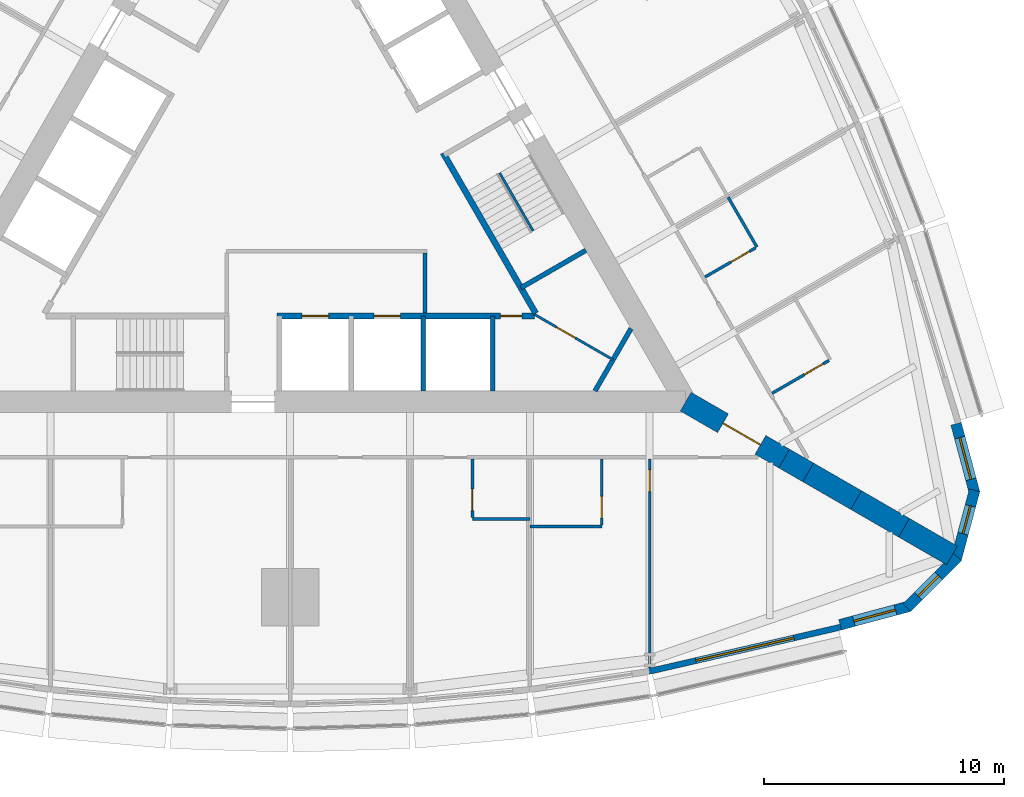
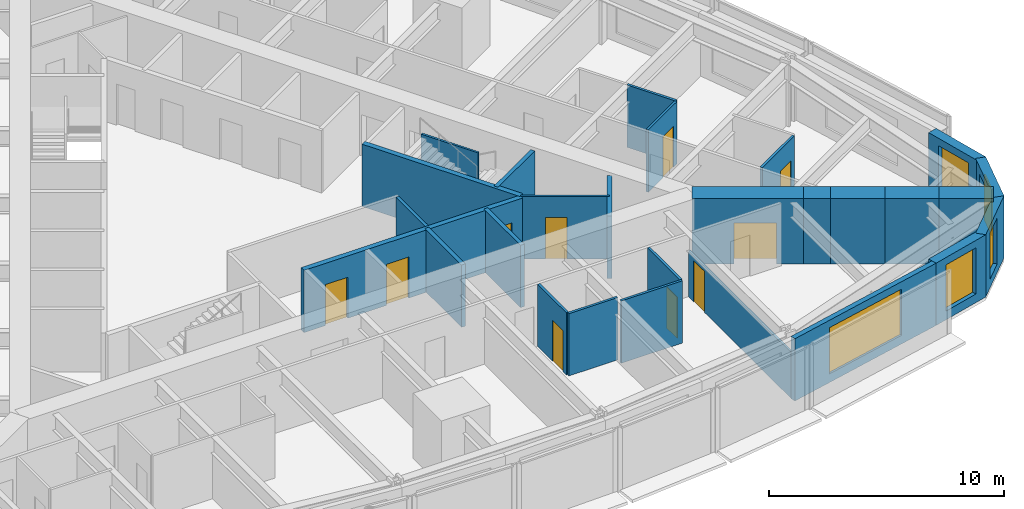
# One storey, part 10 of 14: 27 walls, 10 doors, 5 windows, 15 openings.
"""IFC4 building model written with IfcOpenShell, lengths in metres."""

from ifc_helpers import new_model, si_unit, direction, frame, frame_2d, origin, place, context, subcontext, project, spatial, polyline, rectangle, outline, extrude, material, layer, layer_set, type_object, element, fill, save


model = new_model("IFC4")

# Units and contexts
model_context = context("Model", 3, precision=1e-05, world=origin(), true_north=direction((0.0, 1.0)))
body_context = subcontext(model_context, "Body", "Model", "MODEL_VIEW")
ifc_project = project(units=[si_unit("LENGTHUNIT", "METRE"), si_unit("AREAUNIT", "SQUARE_METRE"), si_unit("VOLUMEUNIT", "CUBIC_METRE"), si_unit("PLANEANGLEUNIT", "RADIAN"), si_unit("MASSUNIT", "GRAM", prefix="KILO")], contexts=[model_context])

# Site, building, storey
site_placement = place(None, origin())
site = spatial("IfcSite", under=ifc_project, at=site_placement, CompositionType="ELEMENT")
building_placement = place(site_placement, origin())
building = spatial("IfcBuilding", under=site, at=building_placement, Name="Trikona Tower", CompositionType="ELEMENT")
storey_placement = place(building_placement, frame((0.0, 0.0, 42.10009765625)))
storey = spatial("IfcBuildingStorey", under=building, at=storey_placement, Name="L09", CompositionType="ELEMENT", Elevation=42.10009765625)

# Wall
ifc_material_1 = material(Name="Metal stud and cement board", Category="gypsum")
ifc_layer_1 = layer(ifc_material_1, 0.1201171875)
ifc_layer_set_1 = layer_set([ifc_layer_1], Name="Bathroom wall 120")
wall_type_1 = type_object("IfcWallType", Name="Bathroom wall 120", PredefinedType="PLUMBINGWALL", material=ifc_layer_set_1)
wall_1_placement = place(storey_placement, frame((7.60009765625, -14.42626953125, 0.0), z_axis=(0.0, 0.0, 1.0), x_axis=(1.0, 0.0, 0.0)))
element("IfcWall", 1, at=wall_1_placement, inside=storey, type_object=wall_type_1, Name="Bathroom wall 0904", PredefinedType="PLUMBINGWALL", context=body_context, shape_type="SweptSolid", body=[
    extrude(rectangle(XDim=2.39990234375, YDim=0.1201171875, at=frame_2d((1.199951171875, 0.0))), origin(), (0.0, 0.0, 1.0), 3.23486328125),
])

# Wall, opening, door
wall_2_placement = place(storey_placement, frame((7.60009765625, -11.92626953125, 0.0), z_axis=(0.0, 0.0, 1.0), x_axis=(0.0, -1.0, 0.0)))
wall_2 = element("IfcWall", 2, at=wall_2_placement, inside=storey, type_object=wall_type_1, Name="Bathroom wall 0904", PredefinedType="PLUMBINGWALL", context=body_context, shape_type="SweptSolid", body=[
    extrude(rectangle(XDim=2.43994140625, YDim=0.1201171875, at=frame_2d((1.219970703125, 0.0))), origin(), (0.0, 0.0, 1.0), 3.23486328125),
])
opening_1_placement = place(wall_2_placement, frame((1.25, 0.0, 0.0)))
opening_1 = element("IfcOpeningElement", 3, at=opening_1_placement, cuts=wall_2, Name="Opening D2", PredefinedType="OPENING", context=body_context, shape_type="SweptSolid", body=[
    extrude(rectangle(XDim=0.89990234375, YDim=2.1298828125, at=frame_2d((0.449951171875, 1.06494140625))), frame((0.0, 0.070068359375, 0.0), z_axis=(0.0, -1.0, 0.0), x_axis=(1.0, 0.0, 0.0)), (0.0, 0.0, 1.0), 0.14013671875),
])
ifc_material_2 = material(Name="Steel door frame with solid-core timber leaf", Category="steel")
door_type_1 = type_object("IfcDoorType", Name="Bathroom door 900x2130", OperationType="SLIDING_TO_LEFT", PredefinedType="DOOR", material=ifc_material_2)
door_1_placement = place(opening_1_placement, origin())
door_1 = element("IfcDoor", 4, at=door_1_placement, inside=storey, type_object=door_type_1, Name="Bathroom door 0904", OperationType="SLIDING_TO_LEFT", OverallHeight=2.1298828125, OverallWidth=0.89990234375, PredefinedType="DOOR", context=body_context, shape_type="SweptSolid", body=[
    extrude(rectangle(XDim=0.89990234375, YDim=2.1298828125, at=frame_2d((0.449951171875, 1.06494140625))), frame((0.0, 0.02490234375, 0.0), z_axis=(0.0, -1.0, 0.0), x_axis=(1.0, 0.0, 0.0)), (0.0, 0.0, 1.0), 0.050048828125),
])
fill(opening_1, door_1)

# Wall
wall_3_placement = place(storey_placement, frame((10.0, -14.726318359375, 0.0), z_axis=(0.0, 0.0, 1.0), x_axis=(1.0, 0.0, 0.0)))
element("IfcWall", 5, at=wall_3_placement, inside=storey, type_object=wall_type_1, Name="Bathroom wall 0905.1", PredefinedType="PLUMBINGWALL", context=body_context, shape_type="SweptSolid", body=[
    extrude(rectangle(XDim=3.0, YDim=0.1201171875, at=frame_2d((1.5, 0.0))), origin(), (0.0, 0.0, 1.0), 3.23486328125),
])

# Wall, opening, door
wall_4_placement = place(storey_placement, frame((13.0, -11.92626953125, 0.0), z_axis=(0.0, 0.0, 1.0), x_axis=(0.0, -1.0, 0.0)))
wall_4 = element("IfcWall", 6, at=wall_4_placement, inside=storey, type_object=wall_type_1, Name="Bathroom wall 0905.1", PredefinedType="PLUMBINGWALL", context=body_context, shape_type="SweptSolid", body=[
    extrude(rectangle(XDim=2.739990234375, YDim=0.1201171875, at=frame_2d((1.3701171875, 0.0))), origin(), (0.0, 0.0, 1.0), 3.23486328125),
])
opening_2_placement = place(wall_4_placement, frame((1.550048828125, 0.0, 0.0)))
opening_2 = element("IfcOpeningElement", 7, at=opening_2_placement, cuts=wall_4, Name="Opening D2", PredefinedType="OPENING", context=body_context, shape_type="SweptSolid", body=[
    extrude(rectangle(XDim=0.89990234375, YDim=2.1298828125, at=frame_2d((0.449951171875, 1.06494140625))), frame((0.0, 0.070068359375, 0.0), z_axis=(0.0, -1.0, 0.0), x_axis=(1.0, 0.0, 0.0)), (0.0, 0.0, 1.0), 0.14013671875),
])
door_2_placement = place(opening_2_placement, origin())
door_2 = element("IfcDoor", 8, at=door_2_placement, inside=storey, type_object=door_type_1, Name="Bathroom door 0905.1", OperationType="SLIDING_TO_LEFT", OverallHeight=2.1298828125, OverallWidth=0.89990234375, PredefinedType="DOOR", context=body_context, shape_type="SweptSolid", body=[
    extrude(rectangle(XDim=0.89990234375, YDim=2.1298828125, at=frame_2d((0.449951171875, 1.06494140625))), frame((0.0, 0.02490234375, 0.0), z_axis=(0.0, -1.0, 0.0), x_axis=(1.0, 0.0, 0.0)), (0.0, 0.0, 1.0), 0.050048828125),
])
fill(opening_2, door_2)

wall_5_placement = place(storey_placement, frame((20.10791015625, -9.17529296875, 0.0), z_axis=(0.0, 0.0, 1.0), x_axis=(0.866035715982, 0.499982138324, 0.0)))
wall_5 = element("IfcWall", 9, at=wall_5_placement, inside=storey, type_object=wall_type_1, Name="Bathroom wall 0906", PredefinedType="PLUMBINGWALL", context=body_context, shape_type="SweptSolid", body=[
    extrude(rectangle(XDim=2.73974609375, YDim=0.1201171875, at=frame_2d((1.369873046875, 0.0))), origin(), (0.0, 0.0, 1.0), 3.23486328125),
])
opening_3_placement = place(wall_5_placement, frame((1.550048828125, 0.0, 0.0)))
opening_3 = element("IfcOpeningElement", 10, at=opening_3_placement, cuts=wall_5, Name="Opening D2", PredefinedType="OPENING", context=body_context, shape_type="SweptSolid", body=[
    extrude(rectangle(XDim=0.89990234375, YDim=2.1298828125, at=frame_2d((0.449951171875, 1.06494140625))), frame((0.0, 0.070068359375, 0.0), z_axis=(0.0, -1.0, 0.0), x_axis=(1.0, 0.0, 0.0)), (0.0, 0.0, 1.0), 0.14013671875),
])
door_3_placement = place(opening_3_placement, origin())
door_3 = element("IfcDoor", 11, at=door_3_placement, inside=storey, type_object=door_type_1, Name="Bathroom door 0906", OperationType="SLIDING_TO_LEFT", OverallHeight=2.1298828125, OverallWidth=0.89990234375, PredefinedType="DOOR", context=body_context, shape_type="SweptSolid", body=[
    extrude(rectangle(XDim=0.89990234375, YDim=2.1298828125, at=frame_2d((0.449951171875, 1.06494140625))), frame((0.0, 0.02490234375, 0.0), z_axis=(0.0, -1.0, 0.0), x_axis=(1.0, 0.0, 0.0)), (0.0, 0.0, 1.0), 0.050048828125),
])
fill(opening_3, door_3)

# Wall
wall_6_placement = place(storey_placement, frame((19.472900390625, -3.07568359375, 0.0), z_axis=(0.0, 0.0, 1.0), x_axis=(-0.499957262057, 0.866050077142, 0.0)))
element("IfcWall", 12, at=wall_6_placement, inside=storey, type_object=wall_type_1, Name="Bathroom wall 0907", PredefinedType="PLUMBINGWALL", context=body_context, shape_type="SweptSolid", body=[
    extrude(rectangle(XDim=2.400146484375, YDim=0.1201171875, at=frame_2d((1.2001953125, 0.0))), origin(), (0.0, 0.0, 1.0), 3.23486328125),
])

# Wall, opening, door
wall_7_placement = place(storey_placement, frame((17.307861328125, -4.32568359375, 0.0), z_axis=(0.0, 0.0, 1.0), x_axis=(0.866023955769, 0.500002508028, 0.0)))
wall_7 = element("IfcWall", 13, at=wall_7_placement, inside=storey, type_object=wall_type_1, Name="Bathroom wall 0907", PredefinedType="PLUMBINGWALL", context=body_context, shape_type="SweptSolid", body=[
    extrude(rectangle(XDim=2.43994140625, YDim=0.1201171875, at=frame_2d((1.219970703125, 0.0))), origin(), (0.0, 0.0, 1.0), 3.23486328125),
])
opening_4_placement = place(wall_7_placement, frame((1.25, 0.0, 0.0)))
opening_4 = element("IfcOpeningElement", 14, at=opening_4_placement, cuts=wall_7, Name="Opening D2", PredefinedType="OPENING", context=body_context, shape_type="SweptSolid", body=[
    extrude(rectangle(XDim=0.89990234375, YDim=2.1298828125, at=frame_2d((0.449951171875, 1.06494140625))), frame((0.0, 0.070068359375, 0.0), z_axis=(0.0, -1.0, 0.0), x_axis=(1.0, 0.0, 0.0)), (0.0, 0.0, 1.0), 0.14013671875),
])
door_4_placement = place(opening_4_placement, origin())
door_4 = element("IfcDoor", 15, at=door_4_placement, inside=storey, type_object=door_type_1, Name="Bathroom door 0907", OperationType="SLIDING_TO_LEFT", OverallHeight=2.1298828125, OverallWidth=0.89990234375, PredefinedType="DOOR", context=body_context, shape_type="SweptSolid", body=[
    extrude(rectangle(XDim=0.89990234375, YDim=2.1298828125, at=frame_2d((0.449951171875, 1.06494140625))), frame((0.0, 0.02490234375, 0.0), z_axis=(0.0, -1.0, 0.0), x_axis=(1.0, 0.0, 0.0)), (0.0, 0.0, 1.0), 0.050048828125),
])
fill(opening_4, door_4)

# Wall, opening, window
ifc_material_3 = material(Name="Brick-faced precast concrete", Category="masonry")
ifc_layer_2 = layer(ifc_material_3, 0.449951171875)
ifc_layer_set_2 = layer_set([ifc_layer_2], Name="Brick-faced corner wall 450")
wall_type_2 = type_object("IfcWallType", Name="Brick-faced corner wall 450", PredefinedType="SOLIDWALL", material=ifc_layer_set_2)
wall_8_placement = place(storey_placement, frame((22.94189453125, -18.835205078125, 0.0), z_axis=(0.0, 0.0, 1.0), x_axis=(0.965930548995, 0.258801419081, 0.0)))
wall_8 = element("IfcWall", 16, at=wall_8_placement, inside=storey, type_object=wall_type_2, Name="External wall L09-08", PredefinedType="SOLIDWALL", context=body_context, shape_type="SweptSolid", body=[
    extrude(rectangle(XDim=2.988525390625, YDim=0.449951171875, at=frame_2d((1.494140625, 0.0))), origin(), (0.0, 0.0, 1.0), 3.23486328125),
])
opening_5_placement = place(wall_8_placement, frame((0.59423828125, 0.0, 0.449951171875)))
opening_5 = element("IfcOpeningElement", 17, at=opening_5_placement, cuts=wall_8, Name="Opening W1824", PredefinedType="OPENING", context=body_context, shape_type="SweptSolid", body=[
    extrude(rectangle(XDim=1.800048828125, YDim=2.39990234375, at=frame_2d((0.89990234375, 1.199951171875))), frame((0.0, 0.23486328125, 0.0), z_axis=(0.0, -1.0, 0.0), x_axis=(1.0, 0.0, 0.0)), (0.0, 0.0, 1.0), 0.469970703125),
])
ifc_material_4 = material(Name="Aluminium-framed double glazing", Category="aluminium")
window_type_1 = type_object("IfcWindowType", Name="Window 1800x2400", PartitioningType="SINGLE_PANEL", PredefinedType="WINDOW", material=ifc_material_4)
window_1_placement = place(opening_5_placement, origin())
window_1 = element("IfcWindow", 18, at=window_1_placement, inside=storey, type_object=window_type_1, Name="Window 0905", OverallHeight=2.39990234375, OverallWidth=1.800048828125, PartitioningType="SINGLE_PANEL", PredefinedType="WINDOW", context=body_context, shape_type="SweptSolid", body=[
    extrude(rectangle(XDim=1.800048828125, YDim=2.39990234375, at=frame_2d((0.89990234375, 1.199951171875))), frame((0.0, 0.030029296875, 0.0), z_axis=(0.0, -1.0, 0.0), x_axis=(1.0, 0.0, 0.0)), (0.0, 0.0, 1.0), 0.06005859375),
])
fill(opening_5, window_1)

wall_9_placement = place(storey_placement, frame((25.727783203125, -18.1201171875, 0.0), z_axis=(0.0, 0.0, 1.0), x_axis=(0.707025086683, 0.707188466253, 0.0)))
wall_9 = element("IfcWall", 19, at=wall_9_placement, inside=storey, type_object=wall_type_2, Name="External wall L09-09", PredefinedType="SOLIDWALL", context=body_context, shape_type="SweptSolid", body=[
    extrude(outline(polyline([(2.988525390625, 0.22509765625), (2.929931640625, 0.22509765625), (2.4375, 0.093017578125), (2.402099609375, 0.22509765625), (0.0, 0.22509765625), (0.0, -0.22509765625), (2.988525390625, -0.22509765625), (2.988525390625, 0.22509765625)])), origin(), (0.0, 0.0, 1.0), 3.23486328125),
])
opening_6_placement = place(wall_9_placement, frame((0.676025390625, 0.0, 0.449951171875)))
opening_6 = element("IfcOpeningElement", 20, at=opening_6_placement, cuts=wall_9, Name="Opening W1224", PredefinedType="OPENING", context=body_context, shape_type="SweptSolid", body=[
    extrude(rectangle(XDim=1.199951171875, YDim=2.39990234375, at=frame_2d((0.60009765625, 1.199951171875))), frame((0.0, 0.23486328125, 0.0), z_axis=(0.0, -1.0, 0.0), x_axis=(1.0, 0.0, 0.0)), (0.0, 0.0, 1.0), 0.469970703125),
])
ifc_material_5 = material(Name="Aluminium-framed double glazing", Category="aluminium")
window_type_2 = type_object("IfcWindowType", Name="Window 1200x2400", PartitioningType="SINGLE_PANEL", PredefinedType="WINDOW", material=ifc_material_5)
window_2_placement = place(opening_6_placement, origin())
window_2 = element("IfcWindow", 21, at=window_2_placement, inside=storey, type_object=window_type_2, Name="Window 0905", OverallHeight=2.39990234375, OverallWidth=1.199951171875, PartitioningType="SINGLE_PANEL", PredefinedType="WINDOW", context=body_context, shape_type="SweptSolid", body=[
    extrude(rectangle(XDim=1.199951171875, YDim=2.39990234375, at=frame_2d((0.60009765625, 1.199951171875))), frame((0.0, 0.030029296875, 0.0), z_axis=(0.0, -1.0, 0.0), x_axis=(1.0, 0.0, 0.0)), (0.0, 0.0, 1.0), 0.06005859375),
])
fill(opening_6, window_2)

wall_10_placement = place(storey_placement, frame((27.78271484375, -16.107666015625, 0.0), z_axis=(0.0, 0.0, 1.0), x_axis=(0.258801419081, 0.965930548995, 0.0)))
wall_10 = element("IfcWall", 22, at=wall_10_placement, inside=storey, type_object=wall_type_2, Name="External wall L09-10", PredefinedType="SOLIDWALL", context=body_context, shape_type="SweptSolid", body=[
    extrude(outline(polyline([(2.988525390625, 0.22509765625), (0.58642578125, 0.22509765625), (0.55126953125, 0.09326171875), (0.0595703125, 0.22509765625), (0.0, 0.22509765625), (0.0, -0.22509765625), (2.988525390625, -0.22509765625), (2.988525390625, 0.22509765625)])), origin(), (0.0, 0.0, 1.0), 3.23486328125),
])
opening_7_placement = place(wall_10_placement, frame((1.112548828125, 0.0, 0.449951171875)))
opening_7 = element("IfcOpeningElement", 23, at=opening_7_placement, cuts=wall_10, Name="Opening W1224", PredefinedType="OPENING", context=body_context, shape_type="SweptSolid", body=[
    extrude(rectangle(XDim=1.199951171875, YDim=2.39990234375, at=frame_2d((0.60009765625, 1.199951171875))), frame((0.0, 0.23486328125, 0.0), z_axis=(0.0, -1.0, 0.0), x_axis=(1.0, 0.0, 0.0)), (0.0, 0.0, 1.0), 0.469970703125),
])
window_3_placement = place(opening_7_placement, origin())
window_3 = element("IfcWindow", 24, at=window_3_placement, inside=storey, type_object=window_type_2, Name="Window 0906", OverallHeight=2.39990234375, OverallWidth=1.199951171875, PartitioningType="SINGLE_PANEL", PredefinedType="WINDOW", context=body_context, shape_type="SweptSolid", body=[
    extrude(rectangle(XDim=1.199951171875, YDim=2.39990234375, at=frame_2d((0.60009765625, 1.199951171875))), frame((0.0, 0.030029296875, 0.0), z_axis=(0.0, -1.0, 0.0), x_axis=(1.0, 0.0, 0.0)), (0.0, 0.0, 1.0), 0.06005859375),
])
fill(opening_7, window_3)

wall_11_placement = place(storey_placement, frame((28.55615234375, -13.33740234375, 0.0), z_axis=(0.0, 0.0, 1.0), x_axis=(-0.258780998834, 0.965936019953, 0.0)))
wall_11 = element("IfcWall", 25, at=wall_11_placement, inside=storey, type_object=wall_type_2, Name="External wall L09-11", PredefinedType="SOLIDWALL", context=body_context, shape_type="SweptSolid", body=[
    extrude(rectangle(XDim=2.98876953125, YDim=0.449951171875, at=frame_2d((1.494384765625, 0.0))), origin(), (0.0, 0.0, 1.0), 3.23486328125),
])
opening_8_placement = place(wall_11_placement, frame((0.59423828125, 0.0, 0.449951171875)))
opening_8 = element("IfcOpeningElement", 26, at=opening_8_placement, cuts=wall_11, Name="Opening W1824", PredefinedType="OPENING", context=body_context, shape_type="SweptSolid", body=[
    extrude(rectangle(XDim=1.800048828125, YDim=2.39990234375, at=frame_2d((0.89990234375, 1.199951171875))), frame((0.0, 0.23486328125, 0.0), z_axis=(0.0, -1.0, 0.0), x_axis=(1.0, 0.0, 0.0)), (0.0, 0.0, 1.0), 0.469970703125),
])
window_4_placement = place(opening_8_placement, origin())
window_4 = element("IfcWindow", 27, at=window_4_placement, inside=storey, type_object=window_type_1, Name="Window 0906", OverallHeight=2.39990234375, OverallWidth=1.800048828125, PartitioningType="SINGLE_PANEL", PredefinedType="WINDOW", context=body_context, shape_type="SweptSolid", body=[
    extrude(rectangle(XDim=1.800048828125, YDim=2.39990234375, at=frame_2d((0.89990234375, 1.199951171875))), frame((0.0, 0.030029296875, 0.0), z_axis=(0.0, -1.0, 0.0), x_axis=(1.0, 0.0, 0.0)), (0.0, 0.0, 1.0), 0.06005859375),
])
fill(opening_8, window_4)

# Wall, opening, door
ifc_material_6 = material(Name="Concrete f'c 10000 psi", Category="concrete")
ifc_layer_3 = layer(ifc_material_6, 0.89990234375)
ifc_layer_set_3 = layer_set([ifc_layer_3], Name="Buttress wall 900")
wall_type_3 = type_object("IfcWallType", Name="Buttress wall 900", PredefinedType="SHEAR", material=ifc_layer_set_3)
wall_12_placement = place(storey_placement, frame((16.5, -9.5263671875, 0.0), z_axis=(0.0, 0.0, 1.0), x_axis=(0.866031398331, -0.499989616998, 0.0)))
wall_12 = element("IfcWall", 28, at=wall_12_placement, inside=storey, type_object=wall_type_3, Name="Buttress wall 1", PredefinedType="SHEAR", context=body_context, shape_type="SweptSolid", body=[
    extrude(rectangle(XDim=4.74609375, YDim=0.89990234375, at=frame_2d((2.373046875, 0.0))), origin(), (0.0, 0.0, 1.0), 3.39990234375),
])
opening_9_placement = place(wall_12_placement, frame((1.800048828125, 0.0, 0.0)))
opening_9 = element("IfcOpeningElement", 29, at=opening_9_placement, cuts=wall_12, Name="Opening D10", PredefinedType="OPENING", context=body_context, shape_type="SweptSolid", body=[
    extrude(rectangle(XDim=1.800048828125, YDim=2.1298828125, at=frame_2d((0.89990234375, 1.06494140625))), frame((0.0, 0.4599609375, 0.0), z_axis=(0.0, -1.0, 0.0), x_axis=(1.0, 0.0, 0.0)), (0.0, 0.0, 1.0), 0.919921875),
])
ifc_material_7 = material(Name="Hollow metal door and frame", Category="steel")
door_type_2 = type_object("IfcDoorType", Name="Cross-corridor door pair 1800x2130", OperationType="DOUBLE_DOOR_DOUBLE_SWING", PredefinedType="DOOR", material=ifc_material_7)
door_5_placement = place(opening_9_placement, origin())
door_5 = element("IfcDoor", 30, at=door_5_placement, inside=storey, type_object=door_type_2, Name="Cross-corridor door 1", OperationType="DOUBLE_DOOR_DOUBLE_SWING", OverallHeight=2.1298828125, OverallWidth=1.800048828125, PredefinedType="DOOR", context=body_context, shape_type="SweptSolid", body=[
    extrude(rectangle(XDim=1.800048828125, YDim=2.1298828125, at=frame_2d((0.89990234375, 1.06494140625))), frame((0.0, 0.02490234375, 0.0), z_axis=(0.0, -1.0, 0.0), x_axis=(1.0, 0.0, 0.0)), (0.0, 0.0, 1.0), 0.050048828125),
])
fill(opening_9, door_5)

# Walls
wall_13_placement = place(storey_placement, frame((20.6103515625, -11.8994140625, 0.0), z_axis=(0.0, 0.0, 1.0), x_axis=(0.866009537788, -0.500027479704, 0.0)))
element("IfcWall", 31, at=wall_13_placement, inside=storey, type_object=wall_type_3, Name="Buttress wall 1 part 2", PredefinedType="SHEAR", context=body_context, shape_type="SweptSolid", body=[
    extrude(rectangle(XDim=1.15478515625, YDim=0.89990234375, at=frame_2d((0.577392578125, 0.0))), origin(), (0.0, 0.0, 1.0), 3.39990234375),
])
for number, where, z_axis, x_axis, name in (
    (32, (21.6103515625, -12.476806640625, 0.0), (0.0, 0.0, 1.0), (0.866055313784, -0.499948190782, 0.0), "Buttress wall 1 part 3"),
    (33, (23.6103515625, -13.63134765625, 0.0), (0.0, 0.0, 1.0), (0.866009537788, -0.500027479704, 0.0), "Buttress wall 1 part 4"),
    (34, (25.6103515625, -14.7861328125, 0.0), (0.0, 0.0, 1.0), (0.866009537788, -0.500027479704, 0.0), "Buttress wall 1 part 5"),
):
    element("IfcWall", number, at=place(storey_placement, frame(where, z_axis=z_axis, x_axis=x_axis)), inside=storey, type_object=wall_type_3, Name=name, PredefinedType="SHEAR", context=body_context, shape_type="SweptSolid", body=[
        extrude(rectangle(XDim=2.309326171875, YDim=0.89990234375, at=frame_2d((1.15478515625, 0.0))), origin(), (0.0, 0.0, 1.0), 3.39990234375),
    ])

# Wall, openings, doors
ifc_material_8 = material(Name="Concrete f'c 8000 psi", Category="concrete")
ifc_layer_4 = layer(ifc_material_8, 0.25)
ifc_layer_set_4 = layer_set([ifc_layer_4], Name="Hub wall 250")
wall_type_4 = type_object("IfcWallType", Name="Hub wall 250", PredefinedType="SOLIDWALL", material=ifc_layer_set_4)
wall_14_placement = place(storey_placement, frame((-0.550048828125, -5.951416015625, 0.0), z_axis=(0.0, 0.0, 1.0), x_axis=(1.0, 0.0, 0.0)))
wall_14 = element("IfcWall", 35, at=wall_14_placement, inside=storey, type_object=wall_type_4, Name="Lift lobby wall A2", PredefinedType="SOLIDWALL", context=body_context, shape_type="SweptSolid", body=[
    extrude(rectangle(XDim=10.73291015625, YDim=0.25, at=frame_2d((5.366455078125, 0.0))), origin(), (0.0, 0.0, 1.0), 3.23486328125),
])
opening_10_placement = place(wall_14_placement, frame((9.31396484375, 0.0, 0.0)))
opening_10 = element("IfcOpeningElement", 36, at=opening_10_placement, cuts=wall_14, Name="Opening D14", PredefinedType="OPENING", context=body_context, shape_type="SweptSolid", body=[
    extrude(rectangle(XDim=0.89990234375, YDim=2.1298828125, at=frame_2d((0.449951171875, 1.06494140625))), frame((0.0, 0.135009765625, 0.0), z_axis=(0.0, -1.0, 0.0), x_axis=(1.0, 0.0, 0.0)), (0.0, 0.0, 1.0), 0.27001953125),
])
opening_11_placement = place(wall_14_placement, frame((1.050048828125, 0.0, 0.0)))
opening_11 = element("IfcOpeningElement", 37, at=opening_11_placement, cuts=wall_14, Name="Opening LD", PredefinedType="OPENING", context=body_context, shape_type="SweptSolid", body=[
    extrude(rectangle(XDim=1.10009765625, YDim=2.1298828125, at=frame_2d((0.550048828125, 1.06494140625))), frame((0.0, 0.135009765625, 0.0), z_axis=(0.0, -1.0, 0.0), x_axis=(1.0, 0.0, 0.0)), (0.0, 0.0, 1.0), 0.27001953125),
])
opening_12_placement = place(wall_14_placement, frame((4.050048828125, 0.0, 0.0)))
opening_12 = element("IfcOpeningElement", 38, at=opening_12_placement, cuts=wall_14, Name="Opening LD", PredefinedType="OPENING", context=body_context, shape_type="SweptSolid", body=[
    extrude(rectangle(XDim=1.10009765625, YDim=2.1298828125, at=frame_2d((0.550048828125, 1.06494140625))), frame((0.0, 0.135009765625, 0.0), z_axis=(0.0, -1.0, 0.0), x_axis=(1.0, 0.0, 0.0)), (0.0, 0.0, 1.0), 0.27001953125),
])
ifc_material_9 = material(Name="Stainless steel lift landing door", Category="steel")
door_type_3 = type_object("IfcDoorType", Name="Lift landing door 1100x2130", OperationType="DOUBLE_DOOR_SLIDING", PredefinedType="USERDEFINED", material=ifc_material_9)
door_6_placement = place(opening_11_placement, origin())
door_6 = element("IfcDoor", 39, at=door_6_placement, inside=storey, type_object=door_type_3, Name="Lift landing door FF1", ObjectType="LIFT LANDING DOOR", OperationType="DOUBLE_DOOR_SLIDING", OverallHeight=2.1298828125, OverallWidth=1.10009765625, PredefinedType="USERDEFINED", context=body_context, shape_type="SweptSolid", body=[
    extrude(rectangle(XDim=1.10009765625, YDim=2.1298828125, at=frame_2d((0.550048828125, 1.06494140625))), frame((0.0, 0.02490234375, 0.0), z_axis=(0.0, -1.0, 0.0), x_axis=(1.0, 0.0, 0.0)), (0.0, 0.0, 1.0), 0.050048828125),
])
fill(opening_11, door_6)
door_7_placement = place(opening_12_placement, origin())
door_7 = element("IfcDoor", 40, at=door_7_placement, inside=storey, type_object=door_type_3, Name="Lift landing door FF2", ObjectType="LIFT LANDING DOOR", OperationType="DOUBLE_DOOR_SLIDING", OverallHeight=2.1298828125, OverallWidth=1.10009765625, PredefinedType="USERDEFINED", context=body_context, shape_type="SweptSolid", body=[
    extrude(rectangle(XDim=1.10009765625, YDim=2.1298828125, at=frame_2d((0.550048828125, 1.06494140625))), frame((0.0, 0.02490234375, 0.0), z_axis=(0.0, -1.0, 0.0), x_axis=(1.0, 0.0, 0.0)), (0.0, 0.0, 1.0), 0.050048828125),
])
fill(opening_12, door_7)
ifc_material_10 = material(Name="Hollow metal door and frame", Category="steel")
door_type_4 = type_object("IfcDoorType", Name="Service room door 900x2130", OperationType="SINGLE_SWING_LEFT", PredefinedType="DOOR", material=ifc_material_10)
door_8_placement = place(opening_10_placement, origin())
door_8 = element("IfcDoor", 41, at=door_8_placement, inside=storey, type_object=door_type_4, Name="Door Housekeeping store HKS", OperationType="SINGLE_SWING_RIGHT", OverallHeight=2.1298828125, OverallWidth=0.89990234375, PredefinedType="DOOR", context=body_context, shape_type="SweptSolid", body=[
    extrude(rectangle(XDim=0.89990234375, YDim=2.1298828125, at=frame_2d((0.449951171875, 1.06494140625))), frame((0.0, 0.02490234375, 0.0), z_axis=(0.0, -1.0, 0.0), x_axis=(1.0, 0.0, 0.0)), (0.0, 0.0, 1.0), 0.050048828125),
])
fill(opening_10, door_8)

# Wall
wall_15_placement = place(storey_placement, frame((10.245361328125, -5.843017578125, 0.0), z_axis=(0.0, 0.0, 1.0), x_axis=(-0.499993009313, 0.866029439822, 0.0)))
element("IfcWall", 42, at=wall_15_placement, inside=storey, type_object=wall_type_4, Name="Lift lobby wall B1", PredefinedType="SOLIDWALL", context=body_context, shape_type="SweptSolid", body=[
    extrude(rectangle(XDim=7.73291015625, YDim=0.25, at=frame_2d((3.866455078125, 0.0))), origin(), (0.0, 0.0, 1.0), 3.23486328125),
])

# Wall, opening, window
ifc_material_11 = material(Name="Insulated precast concrete spandrel panel", Category="concrete")
ifc_layer_5 = layer(ifc_material_11, 0.25)
ifc_layer_set_5 = layer_set([ifc_layer_5], Name="Inner skin wall 250")
wall_type_5 = type_object("IfcWallType", Name="Inner skin wall 250", PredefinedType="STANDARD", material=ifc_layer_set_5)
wall_16_placement = place(storey_placement, frame((14.9716796875, -20.78125, 0.0), z_axis=(0.0, 0.0, 1.0), x_axis=(0.974279327392, 0.225343720163, 0.0)))
wall_16 = element("IfcWall", 43, at=wall_16_placement, inside=storey, type_object=wall_type_5, Name="External wall L09-07", PredefinedType="STANDARD", context=body_context, shape_type="SweptSolid", body=[
    extrude(rectangle(XDim=8.211181640625, YDim=0.25, at=frame_2d((4.10546875, 0.0))), origin(), (0.0, 0.0, 1.0), 3.23486328125),
])
opening_13_placement = place(wall_16_placement, frame((2.005615234375, 0.0, 0.449951171875)))
opening_13 = element("IfcOpeningElement", 44, at=opening_13_placement, cuts=wall_16, Name="Opening W4224", PredefinedType="OPENING", context=body_context, shape_type="SweptSolid", body=[
    extrude(rectangle(XDim=4.199951171875, YDim=2.39990234375, at=frame_2d((2.10009765625, 1.199951171875))), frame((0.0, 0.135009765625, 0.0), z_axis=(0.0, -1.0, 0.0), x_axis=(1.0, 0.0, 0.0)), (0.0, 0.0, 1.0), 0.27001953125),
])
ifc_material_12 = material(Name="Aluminium-framed double glazing", Category="aluminium")
window_type_3 = type_object("IfcWindowType", Name="Window 4200x2400", PartitioningType="SINGLE_PANEL", PredefinedType="WINDOW", material=ifc_material_12)
window_5_placement = place(opening_13_placement, origin())
window_5 = element("IfcWindow", 45, at=window_5_placement, inside=storey, type_object=window_type_3, Name="Window 0905", OverallHeight=2.39990234375, OverallWidth=4.199951171875, PartitioningType="SINGLE_PANEL", PredefinedType="WINDOW", context=body_context, shape_type="SweptSolid", body=[
    extrude(rectangle(XDim=4.199951171875, YDim=2.39990234375, at=frame_2d((2.10009765625, 1.199951171875))), frame((0.0, 0.030029296875, 0.0), z_axis=(0.0, -1.0, 0.0), x_axis=(1.0, 0.0, 0.0)), (0.0, 0.0, 1.0), 0.06005859375),
])
fill(opening_13, window_5)

# Walls
ifc_material_13 = material(Name="Metal stud and gypsum board, 2-hour shaft wall", Category="gypsum")
ifc_layer_6 = layer(ifc_material_13, 0.14990234375)
ifc_layer_set_6 = layer_set([ifc_layer_6], Name="Lobby wall 150")
wall_type_6 = type_object("IfcWallType", Name="Lobby wall 150", PredefinedType="PARTITIONING", material=ifc_layer_set_6)
wall_17_placement = place(storey_placement, frame((5.625, -5.826416015625, 0.0), z_axis=(0.0, 0.0, 1.0), x_axis=(0.0, 1.0, 0.0)))
element("IfcWall", 46, at=wall_17_placement, inside=storey, type_object=wall_type_6, Name="Fire service lift lobby wall 3", PredefinedType="PARTITIONING", context=body_context, shape_type="SweptSolid", body=[
    extrude(rectangle(XDim=2.5, YDim=0.14990234375, at=frame_2d((1.25, 0.0))), origin(), (0.0, 0.0, 1.0), 3.23486328125),
])
ifc_material_14 = material(Name="Concrete f'c 8000 psi", Category="concrete")
ifc_layer_7 = layer(ifc_material_14, 0.199951171875)
ifc_layer_set_7 = layer_set([ifc_layer_7], Name="Shaft wall 200")
wall_type_7 = type_object("IfcWallType", Name="Shaft wall 200", PredefinedType="SOLIDWALL", material=ifc_layer_set_7)
for number, where, z_axis, x_axis, name in (
    (47, (5.550048828125, -5.951416015625, 0.0), (0.0, 0.0, 1.0), (0.0, -1.0, 0.0), "Shaft wall A5"),
    (48, (8.449951171875, -5.951416015625, 0.0), (0.0, 0.0, 1.0), (0.0, -1.0, 0.0), "Shaft wall A6"),
):
    element("IfcWall", number, at=place(storey_placement, frame(where, z_axis=z_axis, x_axis=x_axis)), inside=storey, type_object=wall_type_7, Name=name, PredefinedType="SOLIDWALL", context=body_context, shape_type="SweptSolid", body=[
        extrude(rectangle(XDim=3.125, YDim=0.199951171875, at=frame_2d((1.5625, 0.0))), origin(), (0.0, 0.0, 1.0), 3.23486328125),
    ])
wall_18_placement = place(storey_placement, frame((14.219482421875, -6.476318359375, 0.0), z_axis=(0.0, 0.0, 1.0), x_axis=(-0.499952404951, -0.866052881055, 0.0)))
element("IfcWall", 49, at=wall_18_placement, inside=storey, type_object=wall_type_7, Name="Riser wall L09-RS1", PredefinedType="SOLIDWALL", context=body_context, shape_type="SweptSolid", body=[
    extrude(rectangle(XDim=3.002197265625, YDim=0.199951171875, at=frame_2d((1.5009765625, 0.0))), origin(), (0.0, 0.0, 1.0), 3.23486328125),
])
ifc_material_15 = material(Name="Concrete f'c 8000 psi", Category="concrete")
ifc_layer_8 = layer(ifc_material_15, 0.199951171875)
ifc_layer_set_8 = layer_set([ifc_layer_8], Name="Shaft wall 200 load-bearing")
wall_type_8 = type_object("IfcWallType", Name="Shaft wall 200 load-bearing", PredefinedType="SOLIDWALL", material=ifc_layer_set_8)
wall_19_placement = place(storey_placement, frame((9.62890625, -4.775390625, 0.0), z_axis=(0.0, 0.0, 1.0), x_axis=(0.866022959057, 0.500004234368, 0.0)))
element("IfcWall", 50, at=wall_19_placement, inside=storey, type_object=wall_type_8, Name="Shaft wall B1", PredefinedType="SOLIDWALL", context=body_context, shape_type="SweptSolid", body=[
    extrude(rectangle(XDim=3.125, YDim=0.199951171875, at=frame_2d((1.5625, 0.0))), origin(), (0.0, 0.0, 1.0), 3.23486328125),
])
ifc_material_16 = material(Name="Concrete f'c 5000 psi", Category="concrete")
ifc_layer_9 = layer(ifc_material_16, 0.10009765625)
ifc_layer_set_9 = layer_set([ifc_layer_9], Name="Stair spine wall 100")
wall_type_9 = type_object("IfcWallType", Name="Stair spine wall 100", PredefinedType="SOLIDWALL", material=ifc_layer_set_9)
wall_20_placement = place(storey_placement, frame((10.134765625, -2.4013671875, 0.0), z_axis=(0.0, 0.0, 1.0), x_axis=(-0.499992232847, 0.866029888106, 0.0)))
element("IfcWall", 51, at=wall_20_placement, inside=storey, type_object=wall_type_9, Name="Stair B spine wall L09", PredefinedType="SOLIDWALL", context=body_context, shape_type="SweptSolid", body=[
    extrude(rectangle(XDim=2.7939453125, YDim=0.10009765625, at=frame_2d((1.39697265625, 0.0))), origin(), (0.0, 0.0, 1.0), 3.39990234375),
])

# Wall, opening, door
ifc_material_17 = material(Name="Metal stud and gypsum board, acoustic", Category="gypsum")
ifc_layer_10 = layer(ifc_material_17, 0.10009765625)
ifc_layer_set_10 = layer_set([ifc_layer_10], Name="Suite partition 100")
wall_type_10 = type_object("IfcWallType", Name="Suite partition 100", PredefinedType="PARTITIONING", material=ifc_layer_set_10)
wall_21_placement = place(storey_placement, frame((15.0, -11.92626953125, 0.0), z_axis=(0.0, 0.0, 1.0), x_axis=(0.0, -1.0, 0.0)))
wall_21 = element("IfcWall", 52, at=wall_21_placement, inside=storey, type_object=wall_type_10, Name="Suite partition L09 F1 u15", PredefinedType="PARTITIONING", context=body_context, shape_type="SweptSolid", body=[
    extrude(rectangle(XDim=8.72021484375, YDim=0.10009765625, at=frame_2d((4.360107421875, 0.0))), origin(), (0.0, 0.0, 1.0), 2.38916015625),
])
opening_14_placement = place(wall_21_placement, frame((0.449951171875, 0.0, 0.0)))
opening_14 = element("IfcOpeningElement", 53, at=opening_14_placement, cuts=wall_21, Name="Opening D13", PredefinedType="OPENING", context=body_context, shape_type="SweptSolid", body=[
    extrude(rectangle(XDim=0.89990234375, YDim=2.1298828125, at=frame_2d((0.449951171875, 1.06494140625))), frame((0.0, 0.06005859375, 0.0), z_axis=(0.0, -1.0, 0.0), x_axis=(1.0, 0.0, 0.0)), (0.0, 0.0, 1.0), 0.1201171875),
])
ifc_material_18 = material(Name="Steel door frame with solid-core timber leaf", Category="steel")
door_type_5 = type_object("IfcDoorType", Name="Suite door 900x2130", OperationType="SINGLE_SWING_LEFT", PredefinedType="DOOR", material=ifc_material_18)
door_9_placement = place(opening_14_placement, origin())
door_9 = element("IfcDoor", 54, at=door_9_placement, inside=storey, type_object=door_type_5, Name="Suite door 0905", OperationType="SINGLE_SWING_LEFT", OverallHeight=2.1298828125, OverallWidth=0.89990234375, PredefinedType="DOOR", context=body_context, shape_type="SweptSolid", body=[
    extrude(rectangle(XDim=0.89990234375, YDim=2.1298828125, at=frame_2d((0.449951171875, 1.06494140625))), frame((0.0, 0.02490234375, 0.0), z_axis=(0.0, -1.0, 0.0), x_axis=(1.0, 0.0, 0.0)), (0.0, 0.0, 1.0), 0.050048828125),
])
fill(opening_14, door_9)

wall_22_placement = place(storey_placement, frame((13.468994140625, -7.7763671875, 0.0), z_axis=(0.0, 0.0, 1.0), x_axis=(-0.866021898093, 0.500006071987, 0.0)))
wall_22 = element("IfcWall", 55, at=wall_22_placement, inside=storey, type_object=wall_type_10, Name="Store partition L09-RS1", PredefinedType="PARTITIONING", context=body_context, shape_type="SweptSolid", body=[
    extrude(rectangle(XDim=3.775390625, YDim=0.10009765625, at=frame_2d((1.8876953125, 0.0))), origin(), (0.0, 0.0, 1.0), 3.23486328125),
])
opening_15_placement = place(wall_22_placement, frame((1.815185546875, 0.0, 0.0)))
opening_15 = element("IfcOpeningElement", 56, at=opening_15_placement, cuts=wall_22, Name="Opening D15", PredefinedType="OPENING", context=body_context, shape_type="SweptSolid", body=[
    extrude(rectangle(XDim=0.89990234375, YDim=2.1298828125, at=frame_2d((0.449951171875, 1.06494140625))), frame((0.0, 0.06005859375, 0.0), z_axis=(0.0, -1.0, 0.0), x_axis=(1.0, 0.0, 0.0)), (0.0, 0.0, 1.0), 0.1201171875),
])
ifc_material_19 = material(Name="Steel door frame with solid-core timber leaf", Category="steel")
door_type_6 = type_object("IfcDoorType", Name="Store door 900x2130", OperationType="SINGLE_SWING_LEFT", PredefinedType="DOOR", material=ifc_material_19)
door_10_placement = place(opening_15_placement, origin())
door_10 = element("IfcDoor", 57, at=door_10_placement, inside=storey, type_object=door_type_6, Name="Door Minibar store MBS", OperationType="SINGLE_SWING_RIGHT", OverallHeight=2.1298828125, OverallWidth=0.89990234375, PredefinedType="DOOR", context=body_context, shape_type="SweptSolid", body=[
    extrude(rectangle(XDim=0.89990234375, YDim=2.1298828125, at=frame_2d((0.449951171875, 1.06494140625))), frame((0.0, 0.02490234375, 0.0), z_axis=(0.0, -1.0, 0.0), x_axis=(1.0, 0.0, 0.0)), (0.0, 0.0, 1.0), 0.050048828125),
])
fill(opening_15, door_10)

save(model, "model.ifc")
